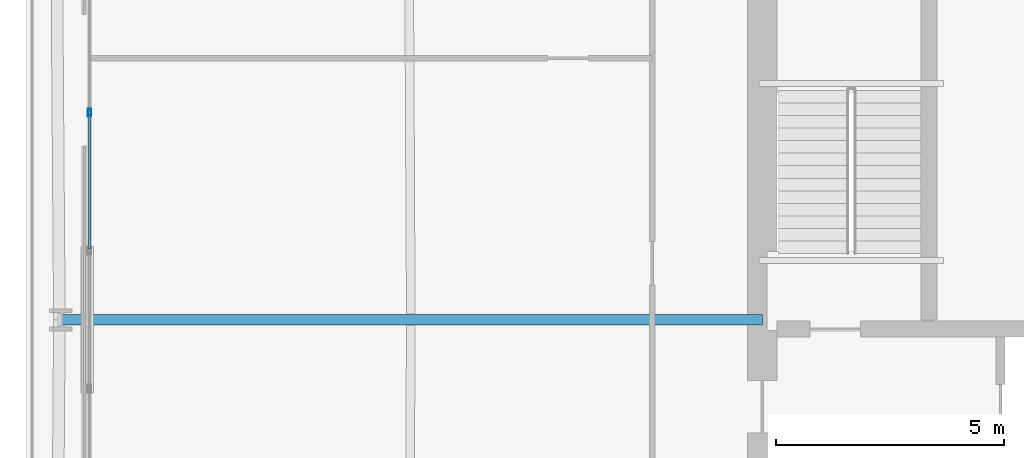
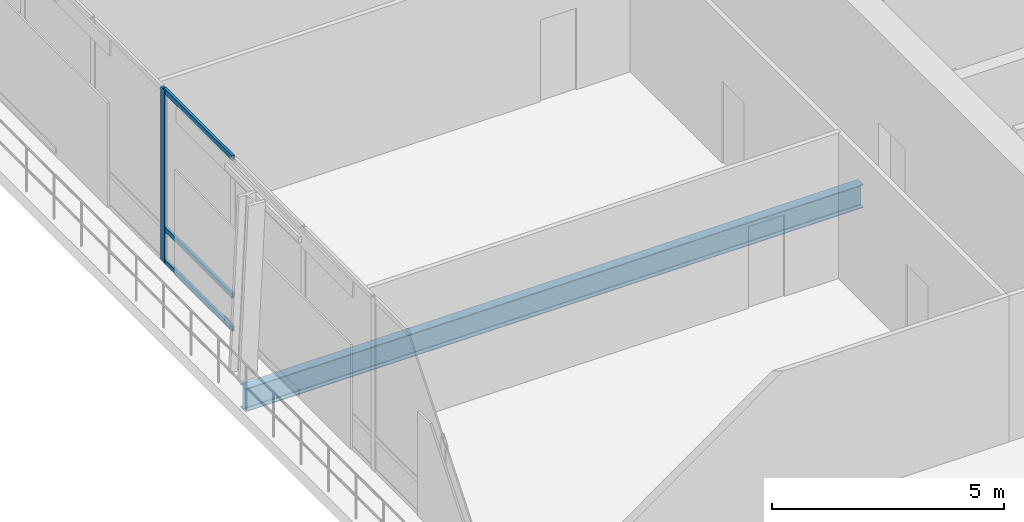
# One storey, part 13 of 48: 4 members, 1 beam, 1 element without a shape of its own.
"""IFC4 building model written with IfcOpenShell, lengths in metres."""

from ifc_helpers import new_model, si_unit, direction, frame, origin, origin_2d, place, context, subcontext, project, spatial, hollow_rectangle, i_section, extrude, material, layer, layer_set, material_profile, profile_set, type_object, element, aggregate, save


model = new_model("IFC4")

# Units and contexts
model_context = context("Model", 3, precision=1e-05, world=origin(), true_north=direction((0.0, 1.0)))
body_context = subcontext(model_context, "Body", "Model", "MODEL_VIEW")
ifc_project = project(units=[si_unit("LENGTHUNIT", "METRE"), si_unit("AREAUNIT", "SQUARE_METRE"), si_unit("VOLUMEUNIT", "CUBIC_METRE"), si_unit("PLANEANGLEUNIT", "RADIAN"), si_unit("MASSUNIT", "GRAM", prefix="KILO")], contexts=[model_context])

# Site, building, storey
site_placement = place(None, origin())
site = spatial("IfcSite", under=ifc_project, at=site_placement, CompositionType="ELEMENT")
building_placement = place(site_placement, origin())
building = spatial("IfcBuilding", under=site, at=building_placement, Name="Caelvoria Tower", CompositionType="ELEMENT")
storey_placement = place(building_placement, frame((0.0, 0.0, 90.39990234375)))
storey = spatial("IfcBuildingStorey", under=building, at=storey_placement, Name="L23", CompositionType="ELEMENT", Elevation=90.39990234375)

# Curtain wall, members
ifc_material_1 = material(Name="Anodised Bronze Aluminium and Low-E Glass", Category="aluminium")
ifc_layer = layer(ifc_material_1, 0.2099609375, Name="Anodised Bronze Aluminium and Low-E Glass")
ifc_layer_set = layer_set([ifc_layer], Name="CW System 3 Sky Lobby Double-Height Acoustic Facade - Anodised Bronze Aluminium and Low-E Glass")
curtain_wall_type = type_object("IfcCurtainWallType", Name="CW System 3 Sky Lobby Double-Height Acoustic Facade", PredefinedType="NOTDEFINED", material=ifc_layer_set)
curtain_wall_placement = place(storey_placement, origin())
curtain_wall = element("IfcCurtainWall", 1, at=curtain_wall_placement, inside=storey, type_object=curtain_wall_type, Name="CW-03 Curtain Wall L23-E6", PredefinedType="NOTDEFINED")
ifc_material_2 = material(Name="Anodised Bronze Architectural Aluminium", Category="aluminium")
ifc_material_profile_1 = material_profile(ifc_material_2, hollow_rectangle(XDim=0.070068359375, YDim=0.179931640625, WallThickness=0.00390625, at=origin_2d()), Name="Anodised Bronze Architectural Aluminium")
ifc_profile_set_1 = profile_set([ifc_material_profile_1], Name="CW_MULL_70X180 - Anodised Bronze Architectural Aluminium")
member_type_1 = type_object("IfcMemberType", Name="Curtain Wall Mullion 70x180 Bronze Aluminium", PredefinedType="MULLION", material=ifc_profile_set_1)
member_1_placement = place(storey_placement, frame((22.26318359375, 36.536376953125, 0.0), z_axis=(0.0, 0.0, 1.0), x_axis=(1.0, 0.0, 0.0)))
member_1 = element("IfcMember", 2, at=member_1_placement, type_object=member_type_1, Name="CW-03 mullion 5", PredefinedType="MULLION", context=body_context, shape_type="SweptSolid", body=[
    extrude(hollow_rectangle(XDim=0.070068359375, YDim=0.179931640625, WallThickness=0.00390625, at=origin_2d()), origin(), (0.0, 0.0, 1.0), 4.56005859375),
])
ifc_material_profile_2 = material_profile(ifc_material_2, hollow_rectangle(XDim=0.06494140625, YDim=0.1298828125, WallThickness=0.00341796875, at=origin_2d()), Name="Anodised Bronze Architectural Aluminium")
ifc_profile_set_2 = profile_set([ifc_material_profile_2], Name="CW_TRAN_65X130 - Anodised Bronze Architectural Aluminium")
member_type_2 = type_object("IfcMemberType", Name="Curtain Wall Transom 65x130 Bronze Aluminium", PredefinedType="USERDEFINED", material=ifc_profile_set_2)
member_2_placement = place(storey_placement, frame((22.26318359375, 36.50146484375, 0.03271484375), z_axis=(0.0, -1.0, 0.0), x_axis=(1.0, 0.0, 0.0)))
member_2 = element("IfcMember", 3, at=member_2_placement, type_object=member_type_2, Name="CW-03 transom 5.1", ObjectType="TRANSOM", PredefinedType="USERDEFINED", context=body_context, shape_type="SweptSolid", body=[
    extrude(hollow_rectangle(XDim=0.06494140625, YDim=0.1298828125, WallThickness=0.00341796875, at=origin_2d()), origin(), (0.0, 0.0, 1.0), 2.954345703125),
])
member_3_placement = place(storey_placement, frame((22.26318359375, 36.50146484375, 0.900146484375), z_axis=(0.0, -1.0, 0.0), x_axis=(1.0, 0.0, 0.0)))
member_3 = element("IfcMember", 4, at=member_3_placement, type_object=member_type_2, Name="CW-03 transom 5.2", ObjectType="TRANSOM", PredefinedType="USERDEFINED", context=body_context, shape_type="SweptSolid", body=[
    extrude(hollow_rectangle(XDim=0.06494140625, YDim=0.1298828125, WallThickness=0.00341796875, at=origin_2d()), origin(), (0.0, 0.0, 1.0), 2.954345703125),
])
member_4_placement = place(storey_placement, frame((22.26318359375, 36.50146484375, 4.527587890625), z_axis=(0.0, -1.0, 0.0), x_axis=(1.0, 0.0, 0.0)))
member_4 = element("IfcMember", 5, at=member_4_placement, type_object=member_type_2, Name="CW-03 transom 5.3", ObjectType="TRANSOM", PredefinedType="USERDEFINED", context=body_context, shape_type="SweptSolid", body=[
    extrude(hollow_rectangle(XDim=0.06494140625, YDim=0.1298828125, WallThickness=0.00341796875, at=origin_2d()), origin(), (0.0, 0.0, 1.0), 2.954345703125),
])
aggregate(curtain_wall, [member_1, member_2, member_3, member_4])

# Beam
ifc_material_3 = material(Name="Structural Steel ASTM A992 Gr.50", Category="steel")
ifc_material_profile_3 = material_profile(ifc_material_3, i_section(OverallWidth=0.22900390625, OverallDepth=0.612060546875, WebThickness=0.011962890625, FlangeThickness=0.01953125, FilletRadius=0.01806640625, at=origin_2d()), Name="Structural Steel ASTM A992 Gr.50")
ifc_profile_set_3 = profile_set([ifc_material_profile_3], Name="W610X125 - Structural Steel ASTM A992 Gr.50")
beam_type = type_object("IfcBeamType", Name="Primary Radial Floor Girder W610X125", PredefinedType="BEAM", material=ifc_profile_set_3)
beam_placement = place(storey_placement, frame((37.0, 32.0, -0.6259765625), z_axis=(-1.0, 0.0, 0.0), x_axis=(0.0, -1.0, 0.0)))
element("IfcBeam", 6, at=beam_placement, inside=storey, type_object=beam_type, Name="Primary Floor Girder L23-10", PredefinedType="BEAM", context=body_context, shape_type="SweptSolid", body=[
    extrude(i_section(OverallWidth=0.22900390625, OverallDepth=0.612060546875, WebThickness=0.011962890625, FlangeThickness=0.01953125, FilletRadius=0.01806640625, at=origin_2d()), origin(), (0.0, 0.0, 1.0), 15.396728515625),
])

save(model, "model.ifc")
